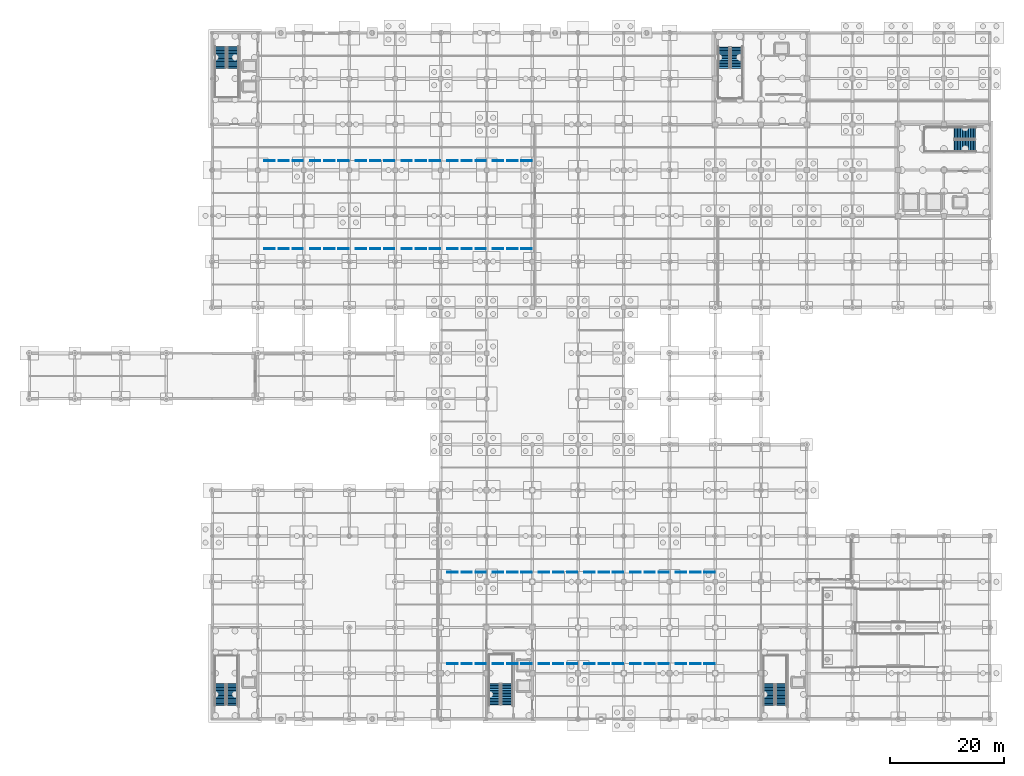
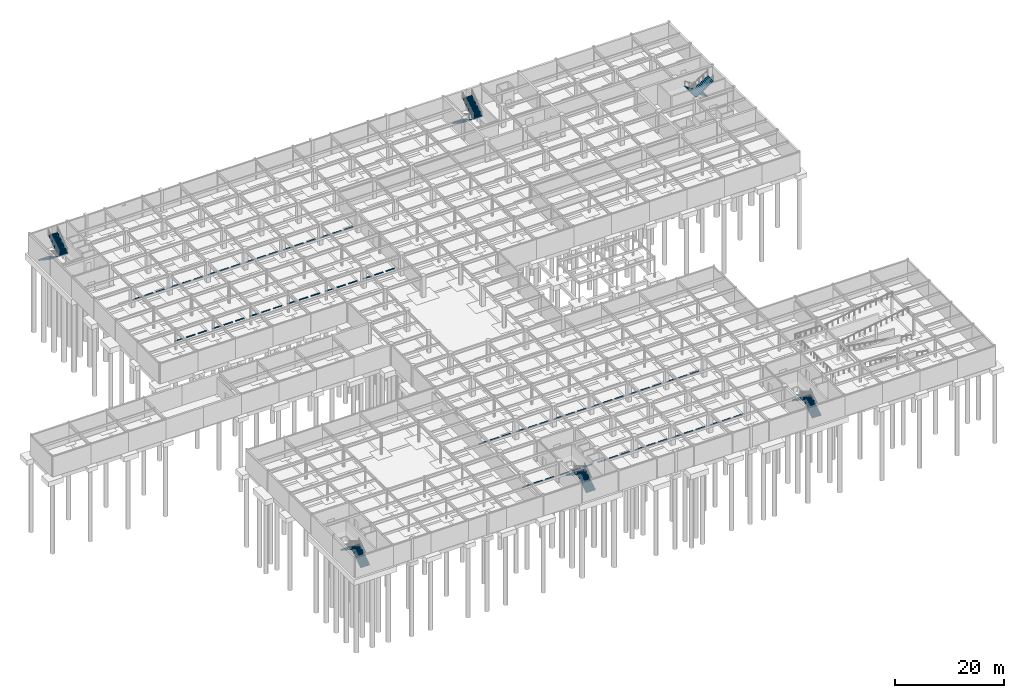
# One storey, part 62 of 105: 72 discrete accessories, 12 stair flights, 6 elements without a shape of their own.
"""IFC4 building model written with IfcOpenShell, lengths in metres."""

import ifcopenshell
import ifcopenshell.guid

model = None  # the IFC model being written
_history = None  # IfcOwnerHistory: only IFC2X3 demands one
_inside = {}  # id of a spatial element -> (the spatial element, [elements in it])
_under = {}  # id of a project, library or spatial element -> (it, [spatial elements below it])
_declared = {}  # id of a project -> (the project, [libraries it declares])
_typed = {}  # id of a type object -> (the type object, [elements of that type])
_made_of = {}  # id of a material, layer set ... -> (it, [elements and type objects made of it])


def new_model(schema):
    """Start an empty IFC model of exactly this schema.

    Asked for "IFC4X3", IfcOpenShell would pick the latest addendum, in which some entities
    have other attributes; the version numbers below select the first issue.
    IFC2X3 requires an IfcOwnerHistory on every rooted entity: one is made here for all.
    """
    global model, _history
    if schema == "IFC4X3":
        model = ifcopenshell.file(schema_version=(4, 3, 0, 0))
    else:
        model = ifcopenshell.file(schema=schema)
    _inside.clear()
    _under.clear()
    _declared.clear()
    _typed.clear()
    _made_of.clear()
    _history = None
    if model.schema == "IFC2X3":
        org = make("IfcOrganization", Name="unknown")
        user = make(
            "IfcPersonAndOrganization",
            ThePerson=make("IfcPerson", FamilyName="unknown"),
            TheOrganization=org,
        )
        app = make(
            "IfcApplication",
            ApplicationDeveloper=org,
            Version="unknown",
            ApplicationFullName="unknown",
            ApplicationIdentifier="unknown",
        )
        _history = make(
            "IfcOwnerHistory",
            OwningUser=user,
            OwningApplication=app,
            ChangeAction="ADDED",
            CreationDate=0,
        )
    return model


def make(cls, **values):
    """One entity of the class cls with the attributes given. An attribute that is None is left unset."""
    return model.create_entity(
        cls, **{name: value for name, value in values.items() if value is not None}
    )


def rooted(cls, **values):
    """An entity with a GlobalId (a new one), such as an element, a storey or a relation."""
    return make(cls, GlobalId=ifcopenshell.guid.new(), OwnerHistory=_history, **values)


def si_unit(unit_type, name, prefix=None):
    """IfcSIUnit, for example si_unit("LENGTHUNIT", "METRE", prefix="MILLI")."""
    return make("IfcSIUnit", UnitType=unit_type, Prefix=prefix, Name=name)


def assignment(units):
    """IfcUnitAssignment: the units of a project."""
    return None if units is None else make("IfcUnitAssignment", Units=units)


def point(xyz):
    """IfcCartesianPoint."""
    return None if xyz is None else make("IfcCartesianPoint", Coordinates=xyz)


def direction(xyz):
    """IfcDirection."""
    return None if xyz is None else make("IfcDirection", DirectionRatios=xyz)


def frame(location, z_axis=None, x_axis=None):
    """IfcAxis2Placement3D, a coordinate frame: its origin and axes. An axis left out is left unset."""
    return make(
        "IfcAxis2Placement3D",
        Location=point(location),
        Axis=direction(z_axis),
        RefDirection=direction(x_axis),
    )


def frame_2d(location, x_axis=None):
    """IfcAxis2Placement2D, a coordinate frame in the plane: its origin and x axis."""
    return make(
        "IfcAxis2Placement2D", Location=point(location), RefDirection=direction(x_axis)
    )


def origin():
    """The frame at (0, 0, 0) with its axes left unset."""
    return frame((0.0, 0.0, 0.0))


def origin_2d():
    """The frame at (0, 0) in the plane with its x axis left unset."""
    return frame_2d((0.0, 0.0))


def place(relative_to, where):
    """IfcLocalPlacement: puts the frame where relative to a parent placement (None: the world)."""
    return make(
        "IfcLocalPlacement", PlacementRelTo=relative_to, RelativePlacement=where
    )


def context(
    kind, dimensions, precision=None, world=None, true_north=None, identifier=None
):
    """IfcGeometricRepresentationContext, for example the 3D "Model" context."""
    return make(
        "IfcGeometricRepresentationContext",
        ContextIdentifier=identifier,
        ContextType=kind,
        CoordinateSpaceDimension=dimensions,
        Precision=precision,
        WorldCoordinateSystem=world,
        TrueNorth=true_north,
    )


def subcontext(parent, identifier, kind, view, scale=None):
    """IfcGeometricRepresentationSubContext, for example "Body" below "Model"."""
    return make(
        "IfcGeometricRepresentationSubContext",
        ContextIdentifier=identifier,
        ContextType=kind,
        ParentContext=parent,
        TargetScale=scale,
        TargetView=view,
    )


def project(units=None, contexts=None):
    """IfcProject with its units and contexts."""
    return rooted(
        "IfcProject",
        Name="project",
        RepresentationContexts=contexts,
        UnitsInContext=assignment(units),
    )


def spatial(cls, under=None, at=None, **own):
    """A site, building, storey or space (cls), placed at a placement, below another one or the project."""
    s = rooted(cls, ObjectPlacement=at, **own)
    if under is not None:
        _under.setdefault(under.id(), (under, []))[1].append(s)
    return s


def polyline(points):
    """IfcPolyline through the points."""
    return make("IfcPolyline", Points=[point(p) for p in points])


def profile(cls, at=None, kind="AREA", **sizes):
    """A parametric profile (cls). Its sizes go by their IFC names, for example OverallWidth=200.0."""
    return make(cls, ProfileType=kind, Position=at, **sizes)


def rectangle(**sizes):
    """IfcRectangleProfileDef."""
    return profile("IfcRectangleProfileDef", **sizes)


def outline(outer, holes=None, kind="AREA"):
    """IfcArbitraryClosedProfileDef: a profile drawn as a closed curve; with holes, ...WithVoids."""
    if holes is None:
        return make("IfcArbitraryClosedProfileDef", ProfileType=kind, OuterCurve=outer)
    return make(
        "IfcArbitraryProfileDefWithVoids",
        ProfileType=kind,
        OuterCurve=outer,
        InnerCurves=holes,
    )


def extrude(swept, where, along, depth):
    """IfcExtrudedAreaSolid: the profile swept, set in the frame where, extruded along a direction by depth."""
    return make(
        "IfcExtrudedAreaSolid",
        SweptArea=swept,
        Position=where,
        ExtrudedDirection=direction(along),
        Depth=depth,
    )


def shape(context_of_items, identifier, shape_type, items):
    """IfcShapeRepresentation: the items that make up one representation, for example the "Body"."""
    return make(
        "IfcShapeRepresentation",
        ContextOfItems=context_of_items,
        RepresentationIdentifier=identifier,
        RepresentationType=shape_type,
        Items=items,
    )


def material(Name=None, Category=None):
    """IfcMaterial."""
    return make("IfcMaterial", Name=Name, Category=Category)


def made_of(thing, what):
    """Note that an element or type object is made of a material, layer set ...; save() writes the relation."""
    if what is not None:
        _made_of.setdefault(what.id(), (what, []))[1].append(thing)
    return thing


def type_object(cls, material=None, **own):
    """A type object (cls), such as IfcWallType, which elements share."""
    return made_of(rooted(cls, **own), material)


def element(
    cls,
    number,
    at=None,
    inside=None,
    cuts=None,
    type_object=None,
    material=None,
    context=None,
    identifier="Body",
    shape_type=None,
    held_by="IfcProductDefinitionShape",
    body=None,
    shapes=None,
    **own,
):
    """One element of the class cls, such as IfcWall. Its Tag is "e" and its number.

    at: its placement. inside: the storey or other place that contains it. cuts: it is an
    opening in that element (IfcRelVoidsElement). A single representation is given by context,
    identifier, shape_type and body (its items); several are given by shapes. held_by: the class
    of the entity that holds the representations. save() writes the other relations.
    """
    e = rooted(cls, Tag="e%d" % number, ObjectPlacement=at, **own)
    if body is not None:
        shapes = [shape(context, identifier, shape_type, body)]
    if shapes is not None:
        e.Representation = make(held_by, Representations=shapes)
    if inside is not None:
        _inside.setdefault(inside.id(), (inside, []))[1].append(e)
    if cuts is not None:
        rooted(
            "IfcRelVoidsElement", RelatingBuildingElement=cuts, RelatedOpeningElement=e
        )
    if type_object is not None:
        _typed.setdefault(type_object.id(), (type_object, []))[1].append(e)
    return made_of(e, material)


def aggregate(whole, parts):
    """IfcRelAggregates: a whole, such as a stair, and the parts it consists of."""
    return rooted("IfcRelAggregates", RelatingObject=whole, RelatedObjects=parts)


def save(model, path):
    """Write the relations noted so far, then the file.

    IfcRelAggregates (storeys below a building ...), IfcRelContainedInSpatialStructure (elements
    in a storey), IfcRelDefinesByType, IfcRelAssociatesMaterial and IfcRelDeclares: one each for
    every whole, place, type object, material and project.
    """
    for whole, parts in _under.values():
        aggregate(whole, parts)
    for where, things in _inside.values():
        rooted(
            "IfcRelContainedInSpatialStructure",
            RelatedElements=things,
            RelatingStructure=where,
        )
    for kind, things in _typed.values():
        rooted("IfcRelDefinesByType", RelatedObjects=things, RelatingType=kind)
    for what, things in _made_of.values():
        rooted("IfcRelAssociatesMaterial", RelatedObjects=things, RelatingMaterial=what)
    for by, libraries in _declared.values():
        rooted("IfcRelDeclares", RelatingContext=by, RelatedDefinitions=libraries)
    model.write(path)


model = new_model("IFC4")

# Units and contexts
model_context = context("Model", 3, precision=1e-05, world=origin(), true_north=direction((0.0, 1.0)))
body_context = subcontext(model_context, "Body", "Model", "MODEL_VIEW")
ifc_project = project(units=[si_unit("LENGTHUNIT", "METRE"), si_unit("AREAUNIT", "SQUARE_METRE"), si_unit("VOLUMEUNIT", "CUBIC_METRE"), si_unit("PLANEANGLEUNIT", "RADIAN"), si_unit("MASSUNIT", "GRAM", prefix="KILO")], contexts=[model_context])

# Site, building, storey
site_placement = place(None, origin())
site = spatial("IfcSite", under=ifc_project, at=site_placement, CompositionType="ELEMENT")
building_placement = place(site_placement, origin())
building = spatial("IfcBuilding", under=site, at=building_placement, Name="Solmirada Galleria", CompositionType="ELEMENT")
storey_placement = place(building_placement, frame((0.0, 0.0, -4.800048828125)))
storey = spatial("IfcBuildingStorey", under=building, at=storey_placement, Name="B1", CompositionType="ELEMENT", Elevation=-4.800048828125)

# Stair, stair flights
ifc_material_1 = material(Name="Concrete C35/45", Category="concrete")
stair_type_1 = type_object("IfcStairType", Name="STR-DOG-195-H48", PredefinedType="HALF_TURN_STAIR", material=ifc_material_1)
stair_1_placement = place(storey_placement, origin())
stair_1 = element("IfcStair", 1, at=stair_1_placement, inside=storey, type_object=stair_type_1, Name="B1 Food Hall Pavilion Core Exit Stair ST5", PredefinedType="HALF_TURN_STAIR")
stair_flight_type_1 = type_object("IfcStairFlightType", Name="SFL-DOG-195-H48", PredefinedType="STRAIGHT", material=ifc_material_1)
stair_flight_1_placement = place(storey_placement, frame((43.52490234375, 2.449951171875, 0.0), z_axis=(0.0, 0.0, 1.0), x_axis=(0.0, 1.0, 0.0)))
stair_flight_1 = element("IfcStairFlight", 2, at=stair_flight_1_placement, type_object=stair_flight_type_1, Name="ST5 flight 1", NumberOfRisers=14, NumberOfTreads=13, PredefinedType="STRAIGHT", RiserHeight=0.171428571, TreadLength=0.28, context=body_context, shape_type="SweptSolid", body=[
    extrude(outline(polyline([(-0.080078125, 0.0), (0.0, 0.0), (0.0, 0.17138671875), (0.280029296875, 0.17138671875), (0.280029296875, 0.3427734375), (0.56005859375, 0.3427734375), (0.56005859375, 0.514404296875), (0.840087890625, 0.514404296875), (0.840087890625, 0.685791015625), (1.1201171875, 0.685791015625), (1.1201171875, 0.857177734375), (1.39990234375, 0.857177734375), (1.39990234375, 1.028564453125), (1.679931640625, 1.028564453125), (1.679931640625, 1.199951171875), (1.9599609375, 1.199951171875), (1.9599609375, 1.371337890625), (2.239990234375, 1.371337890625), (2.239990234375, 1.54296875), (2.52001953125, 1.54296875), (2.52001953125, 1.71435546875), (2.800048828125, 1.71435546875), (2.800048828125, 1.8857421875), (3.080078125, 1.8857421875), (3.080078125, 2.05712890625), (3.360107421875, 2.05712890625), (3.360107421875, 2.228515625), (3.639892578125, 2.228515625), (3.639892578125, 2.39990234375), (3.719970703125, 2.39990234375), (3.719970703125, 2.199951171875), (3.639892578125, 2.199951171875), (0.080078125, -0.179931640625), (-0.080078125, -0.179931640625), (-0.080078125, 0.0)])), frame((0.0, 0.97509765625, 0.0), z_axis=(0.0, -1.0, 0.0), x_axis=(1.0, 0.0, 0.0)), (0.0, 0.0, 1.0), 1.949951171875),
])
stair_flight_2_placement = place(storey_placement, frame((41.425048828125, 6.090087890625, 2.400146484375), z_axis=(0.0, 0.0, 1.0), x_axis=(0.0, -1.0, 0.0)))
stair_flight_2 = element("IfcStairFlight", 3, at=stair_flight_2_placement, type_object=stair_flight_type_1, Name="ST5 flight 2", NumberOfRisers=14, NumberOfTreads=13, PredefinedType="STRAIGHT", RiserHeight=0.171428571, TreadLength=0.28, context=body_context, shape_type="SweptSolid", body=[
    extrude(outline(polyline([(-0.080078125, 0.0), (0.0, 0.0), (0.0, 0.17138671875), (0.280029296875, 0.17138671875), (0.280029296875, 0.3427734375), (0.56005859375, 0.3427734375), (0.56005859375, 0.514404296875), (0.840087890625, 0.514404296875), (0.840087890625, 0.685791015625), (1.1201171875, 0.685791015625), (1.1201171875, 0.857177734375), (1.39990234375, 0.857177734375), (1.39990234375, 1.028564453125), (1.679931640625, 1.028564453125), (1.679931640625, 1.199951171875), (1.9599609375, 1.199951171875), (1.9599609375, 1.371337890625), (2.239990234375, 1.371337890625), (2.239990234375, 1.54296875), (2.52001953125, 1.54296875), (2.52001953125, 1.71435546875), (2.800048828125, 1.71435546875), (2.800048828125, 1.8857421875), (3.080078125, 1.8857421875), (3.080078125, 2.05712890625), (3.360107421875, 2.05712890625), (3.360107421875, 2.228515625), (3.639892578125, 2.228515625), (3.639892578125, 2.39990234375), (3.719970703125, 2.39990234375), (3.719970703125, 2.199951171875), (3.639892578125, 2.199951171875), (0.080078125, -0.179931640625), (-0.080078125, -0.179931640625), (-0.080078125, 0.0)])), frame((0.0, 0.97509765625, 0.0), z_axis=(0.0, -1.0, 0.0), x_axis=(1.0, 0.0, 0.0)), (0.0, 0.0, 1.0), 1.949951171875),
])
aggregate(stair_1, [stair_flight_1, stair_flight_2])

stair_2_placement = place(storey_placement, origin())
stair_2 = element("IfcStair", 4, at=stair_2_placement, inside=storey, type_object=stair_type_1, Name="B1 Southeast Podium Core Exit Stair ST6", PredefinedType="HALF_TURN_STAIR")
stair_flight_3_placement = place(storey_placement, frame((139.52490234375, 2.449951171875, 0.0), z_axis=(0.0, 0.0, 1.0), x_axis=(0.0, 1.0, 0.0)))
stair_flight_3 = element("IfcStairFlight", 5, at=stair_flight_3_placement, type_object=stair_flight_type_1, Name="ST6 flight 1", NumberOfRisers=14, NumberOfTreads=13, PredefinedType="STRAIGHT", RiserHeight=0.171428571, TreadLength=0.28, context=body_context, shape_type="SweptSolid", body=[
    extrude(outline(polyline([(-0.080078125, 0.0), (0.0, 0.0), (0.0, 0.17138671875), (0.280029296875, 0.17138671875), (0.280029296875, 0.3427734375), (0.56005859375, 0.3427734375), (0.56005859375, 0.514404296875), (0.840087890625, 0.514404296875), (0.840087890625, 0.685791015625), (1.1201171875, 0.685791015625), (1.1201171875, 0.857177734375), (1.39990234375, 0.857177734375), (1.39990234375, 1.028564453125), (1.679931640625, 1.028564453125), (1.679931640625, 1.199951171875), (1.9599609375, 1.199951171875), (1.9599609375, 1.371337890625), (2.239990234375, 1.371337890625), (2.239990234375, 1.54296875), (2.52001953125, 1.54296875), (2.52001953125, 1.71435546875), (2.800048828125, 1.71435546875), (2.800048828125, 1.8857421875), (3.080078125, 1.8857421875), (3.080078125, 2.05712890625), (3.360107421875, 2.05712890625), (3.360107421875, 2.228515625), (3.639892578125, 2.228515625), (3.639892578125, 2.39990234375), (3.719970703125, 2.39990234375), (3.719970703125, 2.199951171875), (3.639892578125, 2.199951171875), (0.080078125, -0.179931640625), (-0.080078125, -0.179931640625), (-0.080078125, 0.0)])), frame((0.0, 0.97509765625, 0.0), z_axis=(0.0, -1.0, 0.0), x_axis=(1.0, 0.0, 0.0)), (0.0, 0.0, 1.0), 1.949951171875),
])
stair_flight_4_placement = place(storey_placement, frame((137.425048828125, 6.090087890625, 2.400146484375), z_axis=(0.0, 0.0, 1.0), x_axis=(0.0, -1.0, 0.0)))
stair_flight_4 = element("IfcStairFlight", 6, at=stair_flight_4_placement, type_object=stair_flight_type_1, Name="ST6 flight 2", NumberOfRisers=14, NumberOfTreads=13, PredefinedType="STRAIGHT", RiserHeight=0.171428571, TreadLength=0.28, context=body_context, shape_type="SweptSolid", body=[
    extrude(outline(polyline([(-0.080078125, 0.0), (0.0, 0.0), (0.0, 0.17138671875), (0.280029296875, 0.17138671875), (0.280029296875, 0.3427734375), (0.56005859375, 0.3427734375), (0.56005859375, 0.514404296875), (0.840087890625, 0.514404296875), (0.840087890625, 0.685791015625), (1.1201171875, 0.685791015625), (1.1201171875, 0.857177734375), (1.39990234375, 0.857177734375), (1.39990234375, 1.028564453125), (1.679931640625, 1.028564453125), (1.679931640625, 1.199951171875), (1.9599609375, 1.199951171875), (1.9599609375, 1.371337890625), (2.239990234375, 1.371337890625), (2.239990234375, 1.54296875), (2.52001953125, 1.54296875), (2.52001953125, 1.71435546875), (2.800048828125, 1.71435546875), (2.800048828125, 1.8857421875), (3.080078125, 1.8857421875), (3.080078125, 2.05712890625), (3.360107421875, 2.05712890625), (3.360107421875, 2.228515625), (3.639892578125, 2.228515625), (3.639892578125, 2.39990234375), (3.719970703125, 2.39990234375), (3.719970703125, 2.199951171875), (3.639892578125, 2.199951171875), (0.080078125, -0.179931640625), (-0.080078125, -0.179931640625), (-0.080078125, 0.0)])), frame((0.0, 0.97509765625, 0.0), z_axis=(0.0, -1.0, 0.0), x_axis=(1.0, 0.0, 0.0)), (0.0, 0.0, 1.0), 1.949951171875),
])
aggregate(stair_2, [stair_flight_3, stair_flight_4])

stair_type_2 = type_object("IfcStairType", Name="STR-DOG-200-H48", PredefinedType="HALF_TURN_STAIR", material=ifc_material_1)
stair_3_placement = place(storey_placement, origin())
stair_3 = element("IfcStair", 7, at=stair_3_placement, inside=storey, type_object=stair_type_2, Name="B1 Northwest Sales Core Exit Stair ST1", PredefinedType="HALF_TURN_STAIR")
stair_flight_type_2 = type_object("IfcStairFlightType", Name="SFL-DOG-200-H48", PredefinedType="STRAIGHT", material=ifc_material_1)
stair_flight_5_placement = place(storey_placement, frame((41.5, 117.5, 0.0), z_axis=(0.0, 0.0, 1.0), x_axis=(0.0, -1.0, 0.0)))
stair_flight_5 = element("IfcStairFlight", 8, at=stair_flight_5_placement, type_object=stair_flight_type_2, Name="ST1 flight 1", NumberOfRisers=14, NumberOfTreads=13, PredefinedType="STRAIGHT", RiserHeight=0.171428571, TreadLength=0.28, context=body_context, shape_type="SweptSolid", body=[
    extrude(outline(polyline([(-0.080078125, 0.0), (0.0, 0.0), (0.0, 0.17138671875), (0.280029296875, 0.17138671875), (0.280029296875, 0.3427734375), (0.56005859375, 0.3427734375), (0.56005859375, 0.514404296875), (0.840087890625, 0.514404296875), (0.840087890625, 0.685791015625), (1.1201171875, 0.685791015625), (1.1201171875, 0.857177734375), (1.39990234375, 0.857177734375), (1.39990234375, 1.028564453125), (1.679931640625, 1.028564453125), (1.679931640625, 1.199951171875), (1.9599609375, 1.199951171875), (1.9599609375, 1.371337890625), (2.239990234375, 1.371337890625), (2.239990234375, 1.54296875), (2.52001953125, 1.54296875), (2.52001953125, 1.71435546875), (2.800048828125, 1.71435546875), (2.800048828125, 1.8857421875), (3.080078125, 1.8857421875), (3.080078125, 2.05712890625), (3.360107421875, 2.05712890625), (3.360107421875, 2.228515625), (3.639892578125, 2.228515625), (3.639892578125, 2.39990234375), (3.719970703125, 2.39990234375), (3.719970703125, 2.199951171875), (3.639892578125, 2.199951171875), (0.080078125, -0.179931640625), (-0.080078125, -0.179931640625), (-0.080078125, 0.0)])), frame((0.0, 1.0, 0.0), z_axis=(0.0, -1.0, 0.0), x_axis=(1.0, 0.0, 0.0)), (0.0, 0.0, 1.0), 2.0),
])
stair_flight_6_placement = place(storey_placement, frame((43.64990234375, 113.860107421875, 2.400146484375), z_axis=(0.0, 0.0, 1.0), x_axis=(0.0, 1.0, 0.0)))
stair_flight_6 = element("IfcStairFlight", 9, at=stair_flight_6_placement, type_object=stair_flight_type_2, Name="ST1 flight 2", NumberOfRisers=14, NumberOfTreads=13, PredefinedType="STRAIGHT", RiserHeight=0.171428571, TreadLength=0.28, context=body_context, shape_type="SweptSolid", body=[
    extrude(outline(polyline([(-0.080078125, 0.0), (0.0, 0.0), (0.0, 0.17138671875), (0.280029296875, 0.17138671875), (0.280029296875, 0.3427734375), (0.56005859375, 0.3427734375), (0.56005859375, 0.514404296875), (0.840087890625, 0.514404296875), (0.840087890625, 0.685791015625), (1.1201171875, 0.685791015625), (1.1201171875, 0.857177734375), (1.39990234375, 0.857177734375), (1.39990234375, 1.028564453125), (1.679931640625, 1.028564453125), (1.679931640625, 1.199951171875), (1.9599609375, 1.199951171875), (1.9599609375, 1.371337890625), (2.239990234375, 1.371337890625), (2.239990234375, 1.54296875), (2.52001953125, 1.54296875), (2.52001953125, 1.71435546875), (2.800048828125, 1.71435546875), (2.800048828125, 1.8857421875), (3.080078125, 1.8857421875), (3.080078125, 2.05712890625), (3.360107421875, 2.05712890625), (3.360107421875, 2.228515625), (3.639892578125, 2.228515625), (3.639892578125, 2.39990234375), (3.719970703125, 2.39990234375), (3.719970703125, 2.199951171875), (3.639892578125, 2.199951171875), (0.080078125, -0.179931640625), (-0.080078125, -0.179931640625), (-0.080078125, 0.0)])), frame((0.0, 1.0, 0.0), z_axis=(0.0, -1.0, 0.0), x_axis=(1.0, 0.0, 0.0)), (0.0, 0.0, 1.0), 2.0),
])
aggregate(stair_3, [stair_flight_5, stair_flight_6])

stair_4_placement = place(storey_placement, origin())
stair_4 = element("IfcStair", 10, at=stair_4_placement, inside=storey, type_object=stair_type_2, Name="B1 South Sales Core Exit Stair ST2", PredefinedType="HALF_TURN_STAIR")
stair_flight_7_placement = place(storey_placement, frame((91.550048828125, 2.5, 0.0), z_axis=(0.0, 0.0, 1.0), x_axis=(0.0, 1.0, 0.0)))
stair_flight_7 = element("IfcStairFlight", 11, at=stair_flight_7_placement, type_object=stair_flight_type_2, Name="ST2 flight 1", NumberOfRisers=14, NumberOfTreads=13, PredefinedType="STRAIGHT", RiserHeight=0.171428571, TreadLength=0.28, context=body_context, shape_type="SweptSolid", body=[
    extrude(outline(polyline([(-0.080078125, 0.0), (0.0, 0.0), (0.0, 0.17138671875), (0.280029296875, 0.17138671875), (0.280029296875, 0.3427734375), (0.56005859375, 0.3427734375), (0.56005859375, 0.514404296875), (0.840087890625, 0.514404296875), (0.840087890625, 0.685791015625), (1.1201171875, 0.685791015625), (1.1201171875, 0.857177734375), (1.39990234375, 0.857177734375), (1.39990234375, 1.028564453125), (1.679931640625, 1.028564453125), (1.679931640625, 1.199951171875), (1.9599609375, 1.199951171875), (1.9599609375, 1.371337890625), (2.239990234375, 1.371337890625), (2.239990234375, 1.54296875), (2.52001953125, 1.54296875), (2.52001953125, 1.71435546875), (2.800048828125, 1.71435546875), (2.800048828125, 1.8857421875), (3.080078125, 1.8857421875), (3.080078125, 2.05712890625), (3.360107421875, 2.05712890625), (3.360107421875, 2.228515625), (3.639892578125, 2.228515625), (3.639892578125, 2.39990234375), (3.719970703125, 2.39990234375), (3.719970703125, 2.199951171875), (3.639892578125, 2.199951171875), (0.080078125, -0.179931640625), (-0.080078125, -0.179931640625), (-0.080078125, 0.0)])), frame((0.0, 1.0, 0.0), z_axis=(0.0, -1.0, 0.0), x_axis=(1.0, 0.0, 0.0)), (0.0, 0.0, 1.0), 2.0),
])
stair_flight_8_placement = place(storey_placement, frame((89.39990234375, 6.139892578125, 2.400146484375), z_axis=(0.0, 0.0, 1.0), x_axis=(0.0, -1.0, 0.0)))
stair_flight_8 = element("IfcStairFlight", 12, at=stair_flight_8_placement, type_object=stair_flight_type_2, Name="ST2 flight 2", NumberOfRisers=14, NumberOfTreads=13, PredefinedType="STRAIGHT", RiserHeight=0.171428571, TreadLength=0.28, context=body_context, shape_type="SweptSolid", body=[
    extrude(outline(polyline([(-0.080078125, 0.0), (0.0, 0.0), (0.0, 0.17138671875), (0.280029296875, 0.17138671875), (0.280029296875, 0.3427734375), (0.56005859375, 0.3427734375), (0.56005859375, 0.514404296875), (0.840087890625, 0.514404296875), (0.840087890625, 0.685791015625), (1.1201171875, 0.685791015625), (1.1201171875, 0.857177734375), (1.39990234375, 0.857177734375), (1.39990234375, 1.028564453125), (1.679931640625, 1.028564453125), (1.679931640625, 1.199951171875), (1.9599609375, 1.199951171875), (1.9599609375, 1.371337890625), (2.239990234375, 1.371337890625), (2.239990234375, 1.54296875), (2.52001953125, 1.54296875), (2.52001953125, 1.71435546875), (2.800048828125, 1.71435546875), (2.800048828125, 1.8857421875), (3.080078125, 1.8857421875), (3.080078125, 2.05712890625), (3.360107421875, 2.05712890625), (3.360107421875, 2.228515625), (3.639892578125, 2.228515625), (3.639892578125, 2.39990234375), (3.719970703125, 2.39990234375), (3.719970703125, 2.199951171875), (3.639892578125, 2.199951171875), (0.080078125, -0.179931640625), (-0.080078125, -0.179931640625), (-0.080078125, 0.0)])), frame((0.0, 1.0, 0.0), z_axis=(0.0, -1.0, 0.0), x_axis=(1.0, 0.0, 0.0)), (0.0, 0.0, 1.0), 2.0),
])
aggregate(stair_4, [stair_flight_7, stair_flight_8])

stair_type_3 = type_object("IfcStairType", Name="STR-DOG-205-H48", PredefinedType="HALF_TURN_STAIR", material=ifc_material_1)
stair_5_placement = place(storey_placement, origin())
stair_5 = element("IfcStair", 13, at=stair_5_placement, inside=storey, type_object=stair_type_3, Name="B1 North Avenue High-Rise Core Exit Stair ST3", PredefinedType="HALF_TURN_STAIR")
stair_flight_type_3 = type_object("IfcStairFlightType", Name="SFL-DOG-205-H48", PredefinedType="STRAIGHT", material=ifc_material_1)
stair_flight_9_placement = place(storey_placement, frame((129.52490234375, 117.449951171875, 0.0), z_axis=(0.0, 0.0, 1.0), x_axis=(0.0, -1.0, 0.0)))
stair_flight_9 = element("IfcStairFlight", 14, at=stair_flight_9_placement, type_object=stair_flight_type_3, Name="ST3 flight 1", NumberOfRisers=14, NumberOfTreads=13, PredefinedType="STRAIGHT", RiserHeight=0.171428571, TreadLength=0.28, context=body_context, shape_type="SweptSolid", body=[
    extrude(outline(polyline([(-0.080078125, 0.0), (0.0, 0.0), (0.0, 0.17138671875), (0.280029296875, 0.17138671875), (0.280029296875, 0.3427734375), (0.56005859375, 0.3427734375), (0.56005859375, 0.514404296875), (0.840087890625, 0.514404296875), (0.840087890625, 0.685791015625), (1.1201171875, 0.685791015625), (1.1201171875, 0.857177734375), (1.39990234375, 0.857177734375), (1.39990234375, 1.028564453125), (1.679931640625, 1.028564453125), (1.679931640625, 1.199951171875), (1.9599609375, 1.199951171875), (1.9599609375, 1.371337890625), (2.239990234375, 1.371337890625), (2.239990234375, 1.54296875), (2.52001953125, 1.54296875), (2.52001953125, 1.71435546875), (2.800048828125, 1.71435546875), (2.800048828125, 1.8857421875), (3.080078125, 1.8857421875), (3.080078125, 2.05712890625), (3.360107421875, 2.05712890625), (3.360107421875, 2.228515625), (3.639892578125, 2.228515625), (3.639892578125, 2.39990234375), (3.719970703125, 2.39990234375), (3.719970703125, 2.199951171875), (3.639892578125, 2.199951171875), (0.080078125, -0.179931640625), (-0.080078125, -0.179931640625), (-0.080078125, 0.0)])), frame((0.0, 1.02490234375, 0.0), z_axis=(0.0, -1.0, 0.0), x_axis=(1.0, 0.0, 0.0)), (0.0, 0.0, 1.0), 2.050048828125),
])
stair_flight_10_placement = place(storey_placement, frame((131.72509765625, 113.81005859375, 2.400146484375), z_axis=(0.0, 0.0, 1.0), x_axis=(0.0, 1.0, 0.0)))
stair_flight_10 = element("IfcStairFlight", 15, at=stair_flight_10_placement, type_object=stair_flight_type_3, Name="ST3 flight 2", NumberOfRisers=14, NumberOfTreads=13, PredefinedType="STRAIGHT", RiserHeight=0.171428571, TreadLength=0.28, context=body_context, shape_type="SweptSolid", body=[
    extrude(outline(polyline([(-0.080078125, 0.0), (0.0, 0.0), (0.0, 0.17138671875), (0.280029296875, 0.17138671875), (0.280029296875, 0.3427734375), (0.56005859375, 0.3427734375), (0.56005859375, 0.514404296875), (0.840087890625, 0.514404296875), (0.840087890625, 0.685791015625), (1.1201171875, 0.685791015625), (1.1201171875, 0.857177734375), (1.39990234375, 0.857177734375), (1.39990234375, 1.028564453125), (1.679931640625, 1.028564453125), (1.679931640625, 1.199951171875), (1.9599609375, 1.199951171875), (1.9599609375, 1.371337890625), (2.239990234375, 1.371337890625), (2.239990234375, 1.54296875), (2.52001953125, 1.54296875), (2.52001953125, 1.71435546875), (2.800048828125, 1.71435546875), (2.800048828125, 1.8857421875), (3.080078125, 1.8857421875), (3.080078125, 2.05712890625), (3.360107421875, 2.05712890625), (3.360107421875, 2.228515625), (3.639892578125, 2.228515625), (3.639892578125, 2.39990234375), (3.719970703125, 2.39990234375), (3.719970703125, 2.199951171875), (3.639892578125, 2.199951171875), (0.080078125, -0.179931640625), (-0.080078125, -0.179931640625), (-0.080078125, 0.0)])), frame((0.0, 1.02490234375, 0.0), z_axis=(0.0, -1.0, 0.0), x_axis=(1.0, 0.0, 0.0)), (0.0, 0.0, 1.0), 2.050048828125),
])
aggregate(stair_5, [stair_flight_9, stair_flight_10])

stair_6_placement = place(storey_placement, origin())
stair_6 = element("IfcStair", 16, at=stair_6_placement, inside=storey, type_object=stair_type_3, Name="B1 East Avenue High-Rise and Freight Core Exit Stair ST4", PredefinedType="HALF_TURN_STAIR")
stair_flight_11_placement = place(storey_placement, frame((173.449951171875, 102.47509765625, 0.0), z_axis=(0.0, 0.0, 1.0), x_axis=(-1.0, 0.0, 0.0)))
stair_flight_11 = element("IfcStairFlight", 17, at=stair_flight_11_placement, type_object=stair_flight_type_3, Name="ST4 flight 1", NumberOfRisers=14, NumberOfTreads=13, PredefinedType="STRAIGHT", RiserHeight=0.171428571, TreadLength=0.28, context=body_context, shape_type="SweptSolid", body=[
    extrude(outline(polyline([(-0.080078125, 0.0), (0.0, 0.0), (0.0, 0.17138671875), (0.280029296875, 0.17138671875), (0.280029296875, 0.3427734375), (0.56005859375, 0.3427734375), (0.56005859375, 0.514404296875), (0.840087890625, 0.514404296875), (0.840087890625, 0.685791015625), (1.1201171875, 0.685791015625), (1.1201171875, 0.857177734375), (1.39990234375, 0.857177734375), (1.39990234375, 1.028564453125), (1.679931640625, 1.028564453125), (1.679931640625, 1.199951171875), (1.9599609375, 1.199951171875), (1.9599609375, 1.371337890625), (2.239990234375, 1.371337890625), (2.239990234375, 1.54296875), (2.52001953125, 1.54296875), (2.52001953125, 1.71435546875), (2.800048828125, 1.71435546875), (2.800048828125, 1.8857421875), (3.080078125, 1.8857421875), (3.080078125, 2.05712890625), (3.360107421875, 2.05712890625), (3.360107421875, 2.228515625), (3.639892578125, 2.228515625), (3.639892578125, 2.39990234375), (3.719970703125, 2.39990234375), (3.719970703125, 2.199951171875), (3.639892578125, 2.199951171875), (0.080078125, -0.179931640625), (-0.080078125, -0.179931640625), (-0.080078125, 0.0)])), frame((0.0, 1.02490234375, 0.0), z_axis=(0.0, -1.0, 0.0), x_axis=(1.0, 0.0, 0.0)), (0.0, 0.0, 1.0), 2.050048828125),
])
stair_flight_12_placement = place(storey_placement, frame((169.81005859375, 100.27490234375, 2.400146484375), z_axis=(0.0, 0.0, 1.0), x_axis=(1.0, 0.0, 0.0)))
stair_flight_12 = element("IfcStairFlight", 18, at=stair_flight_12_placement, type_object=stair_flight_type_3, Name="ST4 flight 2", NumberOfRisers=14, NumberOfTreads=13, PredefinedType="STRAIGHT", RiserHeight=0.171428571, TreadLength=0.28, context=body_context, shape_type="SweptSolid", body=[
    extrude(outline(polyline([(-0.080078125, 0.0), (0.0, 0.0), (0.0, 0.17138671875), (0.280029296875, 0.17138671875), (0.280029296875, 0.3427734375), (0.56005859375, 0.3427734375), (0.56005859375, 0.514404296875), (0.840087890625, 0.514404296875), (0.840087890625, 0.685791015625), (1.1201171875, 0.685791015625), (1.1201171875, 0.857177734375), (1.39990234375, 0.857177734375), (1.39990234375, 1.028564453125), (1.679931640625, 1.028564453125), (1.679931640625, 1.199951171875), (1.9599609375, 1.199951171875), (1.9599609375, 1.371337890625), (2.239990234375, 1.371337890625), (2.239990234375, 1.54296875), (2.52001953125, 1.54296875), (2.52001953125, 1.71435546875), (2.800048828125, 1.71435546875), (2.800048828125, 1.8857421875), (3.080078125, 1.8857421875), (3.080078125, 2.05712890625), (3.360107421875, 2.05712890625), (3.360107421875, 2.228515625), (3.639892578125, 2.228515625), (3.639892578125, 2.39990234375), (3.719970703125, 2.39990234375), (3.719970703125, 2.199951171875), (3.639892578125, 2.199951171875), (0.080078125, -0.179931640625), (-0.080078125, -0.179931640625), (-0.080078125, 0.0)])), frame((0.0, 1.02490234375, 0.0), z_axis=(0.0, -1.0, 0.0), x_axis=(1.0, 0.0, 0.0)), (0.0, 0.0, 1.0), 2.050048828125),
])
aggregate(stair_6, [stair_flight_11, stair_flight_12])

# Discrete accessories
ifc_material_2 = material(Name="Steel S355 / ASTM A992 Grade 50", Category="steel")
discrete_accessory_type = type_object("IfcDiscreteAccessoryType", Name="ACC-CEIL-HANGER", PredefinedType="BRACKET", material=ifc_material_2)
for number, where, z_axis, x_axis, name in (
    (19, (50.02490234375, 82.25, 0.01025390625), (0.0, 0.0, 1.0), (1.0, 0.0, 0.0), "Accessible parking bay marking B1-ADA-01"),
    (20, (50.02490234375, 97.64990234375, 0.01025390625), (0.0, 0.0, 1.0), (1.0, 0.0, 0.0), "Accessible parking bay marking B1-ADA-02"),
    (21, (52.52490234375, 82.25, 0.01025390625), (0.0, 0.0, 1.0), (1.0, 0.0, 0.0), "Accessible parking bay marking B1-ADA-03"),
    (22, (52.52490234375, 97.64990234375, 0.01025390625), (0.0, 0.0, 1.0), (1.0, 0.0, 0.0), "Accessible parking bay marking B1-ADA-04"),
    (23, (54.97509765625, 82.25, 0.01025390625), (0.0, 0.0, 1.0), (1.0, 0.0, 0.0), "Accessible parking bay marking B1-ADA-05"),
    (24, (54.97509765625, 97.64990234375, 0.01025390625), (0.0, 0.0, 1.0), (1.0, 0.0, 0.0), "Accessible parking bay marking B1-ADA-06"),
    (25, (58.02490234375, 82.25, 0.01025390625), (0.0, 0.0, 1.0), (1.0, 0.0, 0.0), "Parking bay marking B1-07"),
    (26, (58.02490234375, 97.64990234375, 0.01025390625), (0.0, 0.0, 1.0), (1.0, 0.0, 0.0), "Parking bay marking B1-08"),
    (27, (60.52490234375, 82.25, 0.01025390625), (0.0, 0.0, 1.0), (1.0, 0.0, 0.0), "Parking bay marking B1-09"),
    (28, (60.52490234375, 97.64990234375, 0.01025390625), (0.0, 0.0, 1.0), (1.0, 0.0, 0.0), "Parking bay marking B1-10"),
    (29, (62.97509765625, 82.25, 0.01025390625), (0.0, 0.0, 1.0), (1.0, 0.0, 0.0), "Parking bay marking B1-11"),
    (30, (62.97509765625, 97.64990234375, 0.01025390625), (0.0, 0.0, 1.0), (1.0, 0.0, 0.0), "Parking bay marking B1-12"),
    (31, (66.02490234375, 82.25, 0.01025390625), (0.0, 0.0, 1.0), (1.0, 0.0, 0.0), "Parking bay marking B1-13"),
    (32, (66.02490234375, 97.64990234375, 0.01025390625), (0.0, 0.0, 1.0), (1.0, 0.0, 0.0), "Parking bay marking B1-14"),
    (33, (68.52490234375, 82.25, 0.01025390625), (0.0, 0.0, 1.0), (1.0, 0.0, 0.0), "Parking bay marking B1-15"),
    (34, (68.52490234375, 97.64990234375, 0.01025390625), (0.0, 0.0, 1.0), (1.0, 0.0, 0.0), "Parking bay marking B1-16"),
    (35, (70.97509765625, 82.25, 0.01025390625), (0.0, 0.0, 1.0), (1.0, 0.0, 0.0), "Parking bay marking B1-17"),
    (36, (70.97509765625, 97.64990234375, 0.01025390625), (0.0, 0.0, 1.0), (1.0, 0.0, 0.0), "Parking bay marking B1-18"),
    (37, (74.02490234375, 82.25, 0.01025390625), (0.0, 0.0, 1.0), (1.0, 0.0, 0.0), "Parking bay marking B1-19"),
    (38, (74.02490234375, 97.64990234375, 0.01025390625), (0.0, 0.0, 1.0), (1.0, 0.0, 0.0), "Parking bay marking B1-20"),
    (39, (76.52490234375, 82.25, 0.01025390625), (0.0, 0.0, 1.0), (1.0, 0.0, 0.0), "Parking bay marking B1-21"),
    (40, (76.52490234375, 97.64990234375, 0.01025390625), (0.0, 0.0, 1.0), (1.0, 0.0, 0.0), "Parking bay marking B1-22"),
    (41, (78.97509765625, 82.25, 0.01025390625), (0.0, 0.0, 1.0), (1.0, 0.0, 0.0), "Parking bay marking B1-23"),
    (42, (78.97509765625, 97.64990234375, 0.01025390625), (0.0, 0.0, 1.0), (1.0, 0.0, 0.0), "Parking bay marking B1-24"),
    (43, (82.02490234375, 82.25, 0.01025390625), (0.0, 0.0, 1.0), (1.0, 0.0, 0.0), "Parking bay marking B1-25"),
    (44, (82.02490234375, 97.64990234375, 0.01025390625), (0.0, 0.0, 1.0), (1.0, 0.0, 0.0), "Parking bay marking B1-26"),
    (45, (84.52490234375, 82.25, 0.01025390625), (0.0, 0.0, 1.0), (1.0, 0.0, 0.0), "Parking bay marking B1-27"),
    (46, (84.52490234375, 97.64990234375, 0.01025390625), (0.0, 0.0, 1.0), (1.0, 0.0, 0.0), "Parking bay marking B1-28"),
    (47, (86.97509765625, 82.25, 0.01025390625), (0.0, 0.0, 1.0), (1.0, 0.0, 0.0), "Parking bay marking B1-29"),
    (48, (86.97509765625, 97.64990234375, 0.01025390625), (0.0, 0.0, 1.0), (1.0, 0.0, 0.0), "Parking bay marking B1-30"),
    (49, (90.02490234375, 82.25, 0.01025390625), (0.0, 0.0, 1.0), (1.0, 0.0, 0.0), "Parking bay marking B1-31"),
    (50, (90.02490234375, 97.64990234375, 0.01025390625), (0.0, 0.0, 1.0), (1.0, 0.0, 0.0), "Parking bay marking B1-32"),
    (51, (92.52490234375, 82.25, 0.01025390625), (0.0, 0.0, 1.0), (1.0, 0.0, 0.0), "Parking bay marking B1-33"),
    (52, (92.52490234375, 97.64990234375, 0.01025390625), (0.0, 0.0, 1.0), (1.0, 0.0, 0.0), "Parking bay marking B1-34"),
    (53, (94.97509765625, 82.25, 0.01025390625), (0.0, 0.0, 1.0), (1.0, 0.0, 0.0), "Parking bay marking B1-35"),
    (54, (94.97509765625, 97.64990234375, 0.01025390625), (0.0, 0.0, 1.0), (1.0, 0.0, 0.0), "Parking bay marking B1-36"),
    (55, (82.02490234375, 9.64990234375, 0.01025390625), (0.0, 0.0, 1.0), (1.0, 0.0, 0.0), "Parking bay marking B1-37"),
    (56, (82.02490234375, 25.64990234375, 0.01025390625), (0.0, 0.0, 1.0), (1.0, 0.0, 0.0), "Parking bay marking B1-38"),
    (57, (84.52490234375, 9.64990234375, 0.01025390625), (0.0, 0.0, 1.0), (1.0, 0.0, 0.0), "Parking bay marking B1-39"),
    (58, (84.52490234375, 25.64990234375, 0.01025390625), (0.0, 0.0, 1.0), (1.0, 0.0, 0.0), "Parking bay marking B1-40"),
    (59, (86.97509765625, 9.64990234375, 0.01025390625), (0.0, 0.0, 1.0), (1.0, 0.0, 0.0), "Parking bay marking B1-41"),
    (60, (86.97509765625, 25.64990234375, 0.01025390625), (0.0, 0.0, 1.0), (1.0, 0.0, 0.0), "Parking bay marking B1-42"),
    (61, (90.02490234375, 9.64990234375, 0.01025390625), (0.0, 0.0, 1.0), (1.0, 0.0, 0.0), "Parking bay marking B1-43"),
    (62, (90.02490234375, 25.64990234375, 0.01025390625), (0.0, 0.0, 1.0), (1.0, 0.0, 0.0), "Parking bay marking B1-44"),
    (63, (92.52490234375, 9.64990234375, 0.01025390625), (0.0, 0.0, 1.0), (1.0, 0.0, 0.0), "Parking bay marking B1-45"),
    (64, (92.52490234375, 25.64990234375, 0.01025390625), (0.0, 0.0, 1.0), (1.0, 0.0, 0.0), "Parking bay marking B1-46"),
    (65, (94.97509765625, 9.64990234375, 0.01025390625), (0.0, 0.0, 1.0), (1.0, 0.0, 0.0), "Parking bay marking B1-47"),
    (66, (94.97509765625, 25.64990234375, 0.01025390625), (0.0, 0.0, 1.0), (1.0, 0.0, 0.0), "Parking bay marking B1-48"),
    (67, (98.02490234375, 9.64990234375, 0.01025390625), (0.0, 0.0, 1.0), (1.0, 0.0, 0.0), "Parking bay marking B1-49"),
    (68, (98.02490234375, 25.64990234375, 0.01025390625), (0.0, 0.0, 1.0), (1.0, 0.0, 0.0), "Parking bay marking B1-50"),
    (69, (100.52490234375, 9.64990234375, 0.01025390625), (0.0, 0.0, 1.0), (1.0, 0.0, 0.0), "Parking bay marking B1-51"),
    (70, (100.52490234375, 25.64990234375, 0.01025390625), (0.0, 0.0, 1.0), (1.0, 0.0, 0.0), "Parking bay marking B1-52"),
    (71, (102.97509765625, 9.64990234375, 0.01025390625), (0.0, 0.0, 1.0), (1.0, 0.0, 0.0), "Parking bay marking B1-53"),
    (72, (102.97509765625, 25.64990234375, 0.01025390625), (0.0, 0.0, 1.0), (1.0, 0.0, 0.0), "Parking bay marking B1-54"),
    (73, (106.02490234375, 9.64990234375, 0.01025390625), (0.0, 0.0, 1.0), (1.0, 0.0, 0.0), "Parking bay marking B1-55"),
    (74, (106.02490234375, 25.64990234375, 0.01025390625), (0.0, 0.0, 1.0), (1.0, 0.0, 0.0), "Parking bay marking B1-56"),
    (75, (108.52490234375, 9.64990234375, 0.01025390625), (0.0, 0.0, 1.0), (1.0, 0.0, 0.0), "Parking bay marking B1-57"),
    (76, (108.52490234375, 25.64990234375, 0.01025390625), (0.0, 0.0, 1.0), (1.0, 0.0, 0.0), "Parking bay marking B1-58"),
    (77, (110.97509765625, 9.64990234375, 0.01025390625), (0.0, 0.0, 1.0), (1.0, 0.0, 0.0), "Parking bay marking B1-59"),
    (78, (110.97509765625, 25.64990234375, 0.01025390625), (0.0, 0.0, 1.0), (1.0, 0.0, 0.0), "Parking bay marking B1-60"),
    (79, (114.02490234375, 9.64990234375, 0.01025390625), (0.0, 0.0, 1.0), (1.0, 0.0, 0.0), "Parking bay marking B1-61"),
    (80, (114.02490234375, 25.64990234375, 0.01025390625), (0.0, 0.0, 1.0), (1.0, 0.0, 0.0), "Parking bay marking B1-62"),
    (81, (116.52490234375, 9.64990234375, 0.01025390625), (0.0, 0.0, 1.0), (1.0, 0.0, 0.0), "Parking bay marking B1-63"),
    (82, (116.52490234375, 25.64990234375, 0.01025390625), (0.0, 0.0, 1.0), (1.0, 0.0, 0.0), "Parking bay marking B1-64"),
    (83, (118.97509765625, 9.64990234375, 0.01025390625), (0.0, 0.0, 1.0), (1.0, 0.0, 0.0), "Parking bay marking B1-65"),
    (84, (118.97509765625, 25.64990234375, 0.01025390625), (0.0, 0.0, 1.0), (1.0, 0.0, 0.0), "Parking bay marking B1-66"),
    (85, (122.02490234375, 9.64990234375, 0.01025390625), (0.0, 0.0, 1.0), (1.0, 0.0, 0.0), "Parking bay marking B1-67"),
    (86, (122.02490234375, 25.64990234375, 0.01025390625), (0.0, 0.0, 1.0), (1.0, 0.0, 0.0), "Parking bay marking B1-68"),
    (87, (124.52490234375, 9.64990234375, 0.01025390625), (0.0, 0.0, 1.0), (1.0, 0.0, 0.0), "Parking bay marking B1-69"),
    (88, (124.52490234375, 25.64990234375, 0.01025390625), (0.0, 0.0, 1.0), (1.0, 0.0, 0.0), "Parking bay marking B1-70"),
    (89, (126.97509765625, 9.64990234375, 0.01025390625), (0.0, 0.0, 1.0), (1.0, 0.0, 0.0), "Parking bay marking B1-71"),
    (90, (126.97509765625, 25.64990234375, 0.01025390625), (0.0, 0.0, 1.0), (1.0, 0.0, 0.0), "Parking bay marking B1-72"),
):
    element("IfcDiscreteAccessory", number, at=place(storey_placement, frame(where, z_axis=z_axis, x_axis=x_axis)), inside=storey, type_object=discrete_accessory_type, Name=name, PredefinedType="BRACKET", context=body_context, shape_type="SweptSolid", body=[
        extrude(rectangle(XDim=1.800048828125, YDim=0.14990234375, at=origin_2d()), origin(), (0.0, 0.0, 1.0), 0.139892578125),
    ])

save(model, "model.ifc")
